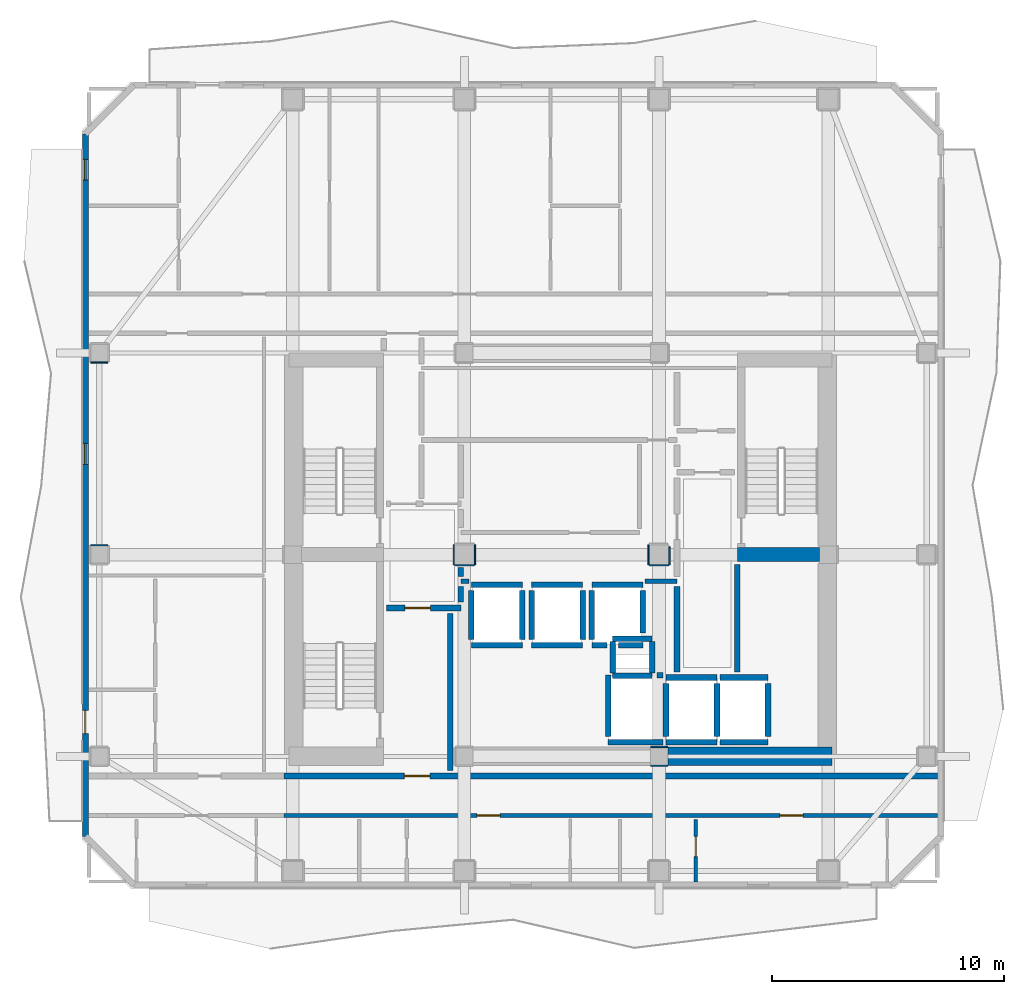
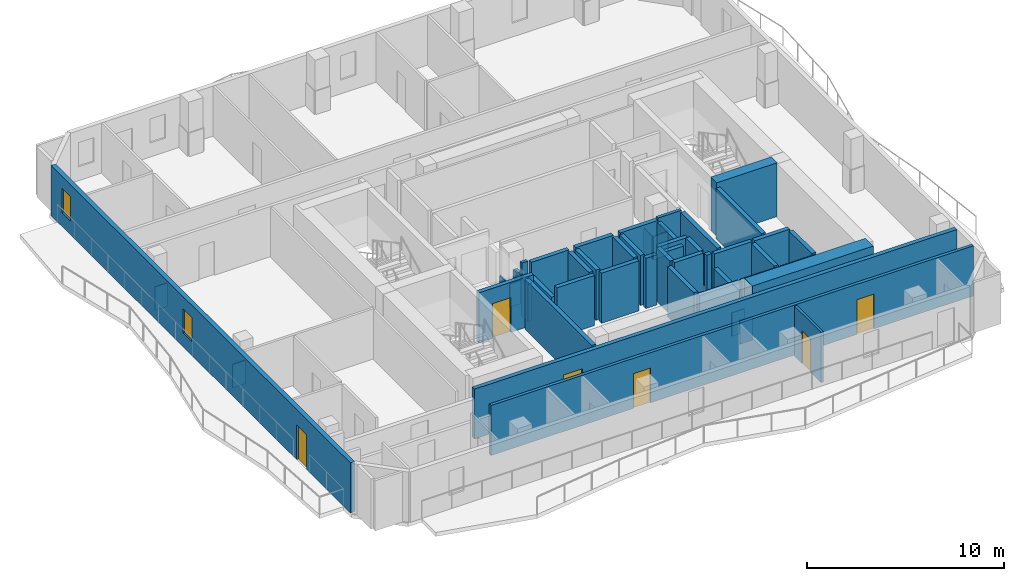
# One storey, part 3 of 10: 51 walls, 6 doors, 2 windows, 8 openings.
"""IFC4 building model written with IfcOpenShell, lengths in metres."""

from ifc_helpers import new_model, si_unit, direction, frame, frame_2d, origin, place, context, subcontext, project, spatial, rectangle, extrude, material, layer, layer_set, type_object, element, fill, save


model = new_model("IFC4")

# Units and contexts
model_context = context("Model", 3, precision=1e-05, world=origin(), true_north=direction((0.0, 1.0)))
body_context = subcontext(model_context, "Body", "Model", "MODEL_VIEW")
ifc_project = project(units=[si_unit("LENGTHUNIT", "METRE"), si_unit("AREAUNIT", "SQUARE_METRE"), si_unit("VOLUMEUNIT", "CUBIC_METRE"), si_unit("PLANEANGLEUNIT", "RADIAN"), si_unit("MASSUNIT", "GRAM", prefix="KILO")], contexts=[model_context])

# Site, building, storey
site_placement = place(None, origin())
site = spatial("IfcSite", under=ifc_project, at=site_placement, CompositionType="ELEMENT")
building_placement = place(site_placement, origin())
building = spatial("IfcBuilding", under=site, at=building_placement, Name="Solanera Arch Residences", CompositionType="ELEMENT")
storey_placement = place(building_placement, frame((0.0, 0.0, 262.239990234375)))
storey = spatial("IfcBuildingStorey", under=building, at=storey_placement, Name="L76", CompositionType="ELEMENT", Elevation=262.239990234375)

# Walls
ifc_material_1 = material(Name="Fire-Rated Gypsum Stud Partition", Category="gypsum")
ifc_layer_1 = layer(ifc_material_1, 0.06005859375)
ifc_layer_set_1 = layer_set([ifc_layer_1], Name="Fire-Rated Gypsum Stud Partition")
wall_type_1 = type_object("IfcWallType", Name="Column Acoustic Furring Wall 60", PredefinedType="PARTITIONING", material=ifc_layer_set_1)
for number, where, z_axis, x_axis, name in (
    (1, (28.8330078125, 21.593017578125, 0.0), (0.0, 0.0, 1.0), (1.0, 0.0, 0.0), "L76 Column Furring 2S"),
    (2, (28.8330078125, 22.406982421875, 0.0), (0.0, 0.0, 1.0), (1.0, 0.0, 0.0), "L76 Column Furring 2N"),
):
    element("IfcWall", number, at=place(storey_placement, frame(where, z_axis=z_axis, x_axis=x_axis)), inside=storey, type_object=wall_type_1, Name=name, PredefinedType="PARTITIONING", context=body_context, shape_type="SweptSolid", body=[
        extrude(rectangle(XDim=0.73388671875, YDim=0.06005859375, at=frame_2d((0.366943359375, 0.0))), origin(), (0.0, 0.0, 1.0), 1.449951171875),
    ])
for number, where, z_axis, x_axis, name in (
    (3, (20.375, 30.242919921875, 0.0), (0.0, 0.0, 1.0), (1.0, 0.0, 0.0), "L76 Column Furring 7S"),
    (4, (20.343017578125, 30.27490234375, 0.0), (0.0, 0.0, 1.0), (0.0, 1.0, 0.0), "L76 Column Furring 7W"),
    (5, (21.257080078125, 30.27490234375, 0.0), (0.0, 0.0, 1.0), (0.0, 1.0, 0.0), "L76 Column Furring 7E"),
    (6, (28.77490234375, 30.242919921875, 0.0), (0.0, 0.0, 1.0), (1.0, 0.0, 0.0), "L76 Column Furring 8S"),
    (7, (28.742919921875, 30.27490234375, 0.0), (0.0, 0.0, 1.0), (0.0, 1.0, 0.0), "L76 Column Furring 8W"),
):
    element("IfcWall", number, at=place(storey_placement, frame(where, z_axis=z_axis, x_axis=x_axis)), inside=storey, type_object=wall_type_1, Name=name, PredefinedType="PARTITIONING", context=body_context, shape_type="SweptSolid", body=[
        extrude(rectangle(XDim=0.85009765625, YDim=0.06005859375, at=frame_2d((0.425048828125, 0.0))), origin(), (0.0, 0.0, 1.0), 1.449951171875),
    ])
wall_1_placement = place(storey_placement, frame((29.656982421875, 30.27490234375, 0.0), z_axis=(0.0, 0.0, 1.0), x_axis=(0.0, 1.0, 0.0)))
element("IfcWall", 8, at=wall_1_placement, inside=storey, type_object=wall_type_1, Name="L76 Column Furring 8E", PredefinedType="PARTITIONING", context=body_context, shape_type="SweptSolid", body=[
    extrude(rectangle(XDim=0.757080078125, YDim=0.06005859375, at=frame_2d((0.37841796875, 0.0))), origin(), (0.0, 0.0, 1.0), 1.449951171875),
])
for number, where, z_axis, x_axis, name in (
    (9, (4.675048828125, 31.10693359375, 0.0), (0.0, 0.0, 1.0), (1.0, 0.0, 0.0), "L76 Column Furring 19N"),
    (10, (4.675048828125, 38.992919921875, 0.0), (0.0, 0.0, 1.0), (1.0, 0.0, 0.0), "L76 Column Furring 21S"),
):
    element("IfcWall", number, at=place(storey_placement, frame(where, z_axis=z_axis, x_axis=x_axis)), inside=storey, type_object=wall_type_1, Name=name, PredefinedType="PARTITIONING", context=body_context, shape_type="SweptSolid", body=[
        extrude(rectangle(XDim=0.75, YDim=0.06005859375, at=frame_2d((0.375, 0.0))), origin(), (0.0, 0.0, 1.0), 1.449951171875),
    ])
ifc_material_2 = material(Name="Concrete C40/50 (f'c = 45 MPa)", Category="concrete")
ifc_layer_2 = layer(ifc_material_2, 0.60009765625)
ifc_layer_set_2 = layer_set([ifc_layer_2], Name="Concrete C40/50 (f'c = 45 MPa)")
wall_type_2 = type_object("IfcWallType", Name="Core Shear Wall CW-600", PredefinedType="SHEAR", material=ifc_layer_set_2)
wall_2_placement = place(storey_placement, frame((32.580078125, 30.699951171875, 0.0), z_axis=(0.0, 0.0, 1.0), x_axis=(1.0, 0.0, 0.0)))
element("IfcWall", 11, at=wall_2_placement, inside=storey, type_object=wall_type_2, Name="L76 East Stair Far-Landing Shear Wall", PredefinedType="SHEAR", context=body_context, shape_type="SweptSolid", body=[
    extrude(rectangle(XDim=3.5400390625, YDim=0.60009765625, at=frame_2d((1.77001953125, 0.0))), origin(), (0.0, 0.0, 1.0), 3.320068359375),
])
ifc_material_3 = material(Name="Concrete C40/50 (f'c = 45 MPa)", Category="concrete")
ifc_layer_3 = layer(ifc_material_3, 0.800048828125)
ifc_layer_set_3 = layer_set([ifc_layer_3], Name="Concrete C40/50 (f'c = 45 MPa)")
wall_type_3 = type_object("IfcWallType", Name="Core Shear Wall CW-800", PredefinedType="SHEAR", material=ifc_layer_set_3)
wall_3_placement = place(storey_placement, frame((29.580078125, 22.0, 0.0), z_axis=(0.0, 0.0, 1.0), x_axis=(1.0, 0.0, 0.0)))
element("IfcWall", 12, at=wall_3_placement, inside=storey, type_object=wall_type_3, Name="L76 South-East Core Shear Wall", PredefinedType="SHEAR", context=body_context, shape_type="SweptSolid", body=[
    extrude(rectangle(XDim=7.079833984375, YDim=0.800048828125, at=frame_2d((3.5400390625, 0.0))), origin(), (0.0, 0.0, 1.0), 3.320068359375),
])

# Wall, openings, doors
ifc_material_4 = material(Name="Autoclaved Aerated Concrete Blockwork", Category="masonry")
ifc_layer_4 = layer(ifc_material_4, 0.179931640625)
ifc_layer_set_4 = layer_set([ifc_layer_4], Name="Autoclaved Aerated Concrete Blockwork")
wall_type_4 = type_object("IfcWallType", Name="Corridor Fire Partition 180", PredefinedType="PARTITIONING", material=ifc_layer_set_4)
wall_4_placement = place(storey_placement, frame((13.011962890625, 19.449951171875, 0.0), z_axis=(0.0, 0.0, 1.0), x_axis=(1.0, 0.0, 0.0)))
wall_4 = element("IfcWall", 13, at=wall_4_placement, inside=storey, type_object=wall_type_4, Name="L76 Interior Partition H7 3", PredefinedType="PARTITIONING", context=body_context, shape_type="SweptSolid", body=[
    extrude(rectangle(XDim=28.200927734375, YDim=0.179931640625, at=frame_2d((14.1005859375, 0.0))), origin(), (0.0, 0.0, 1.0), 3.10009765625),
])
opening_1_placement = place(wall_4_placement, frame((8.3291015625, 0.0, 0.0)))
opening_1 = element("IfcOpeningElement", 14, at=opening_1_placement, cuts=wall_4, Name="Opening DI-01", PredefinedType="OPENING", context=body_context, shape_type="SweptSolid", body=[
    extrude(rectangle(XDim=1.0, YDim=2.14990234375, at=frame_2d((0.5, 1.074951171875))), frame((0.0, 0.10009765625, 0.0), z_axis=(0.0, -1.0, 0.0), x_axis=(1.0, 0.0, 0.0)), (0.0, 0.0, 1.0), 0.1999),
])
opening_2_placement = place(wall_4_placement, frame((21.403076171875, 0.0, 0.0)))
opening_2 = element("IfcOpeningElement", 15, at=opening_2_placement, cuts=wall_4, Name="Opening DI-01", PredefinedType="OPENING", context=body_context, shape_type="SweptSolid", body=[
    extrude(rectangle(XDim=1.0, YDim=2.14990234375, at=frame_2d((0.5, 1.074951171875))), frame((0.0, 0.10009765625, 0.0), z_axis=(0.0, -1.0, 0.0), x_axis=(1.0, 0.0, 0.0)), (0.0, 0.0, 1.0), 0.1999),
])
ifc_material_5 = material(Name="Fire-Rated Architectural Hardwood", Category="wood")
door_type_1 = type_object("IfcDoorType", Name="Unit Entrance Fire Door DI-01", OperationType="NOTDEFINED", PredefinedType="DOOR", material=ifc_material_5)
door_1_placement = place(opening_1_placement, origin())
door_1 = element("IfcDoor", 16, at=door_1_placement, inside=storey, type_object=door_type_1, Name="DR-L76-IN-017", OperationType="SINGLE_SWING_LEFT", OverallHeight=2.14990234375, OverallWidth=1.0, PredefinedType="DOOR", context=body_context, shape_type="SweptSolid", body=[
    extrude(rectangle(XDim=1.0, YDim=2.14990234375, at=frame_2d((0.5, 1.074951171875))), frame((0.0, 0.02490234375, 0.0), z_axis=(0.0, -1.0, 0.0), x_axis=(1.0, 0.0, 0.0)), (0.0, 0.0, 1.0), 0.050048828125),
])
fill(opening_1, door_1)
door_2_placement = place(opening_2_placement, origin())
door_2 = element("IfcDoor", 17, at=door_2_placement, inside=storey, type_object=door_type_1, Name="DR-L76-IN-020", OperationType="SINGLE_SWING_RIGHT", OverallHeight=2.14990234375, OverallWidth=1.0, PredefinedType="DOOR", context=body_context, shape_type="SweptSolid", body=[
    extrude(rectangle(XDim=1.0, YDim=2.14990234375, at=frame_2d((0.5, 1.074951171875))), frame((0.0, 0.02490234375, 0.0), z_axis=(0.0, -1.0, 0.0), x_axis=(1.0, 0.0, 0.0)), (0.0, 0.0, 1.0), 0.050048828125),
])
fill(opening_2, door_2)

# Walls
wall_5_placement = place(storey_placement, frame((20.64990234375, 29.550048828125, 0.0), z_axis=(0.0, 0.0, 1.0), x_axis=(1.0, 0.0, 0.0)))
element("IfcWall", 18, at=wall_5_placement, inside=storey, type_object=wall_type_4, Name="L76 Interior Partition H8 1", PredefinedType="PARTITIONING", context=body_context, shape_type="SweptSolid", body=[
    extrude(rectangle(XDim=0.357177734375, YDim=0.179931640625, at=frame_2d((0.1787109375, 0.0))), origin(), (0.0, 0.0, 1.0), 3.10009765625),
])
wall_6_placement = place(storey_placement, frame((28.593017578125, 29.550048828125, 0.0), z_axis=(0.0, 0.0, 1.0), x_axis=(1.0, 0.0, 0.0)))
element("IfcWall", 19, at=wall_6_placement, inside=storey, type_object=wall_type_4, Name="L76 Interior Partition H8 2", PredefinedType="PARTITIONING", context=body_context, shape_type="SweptSolid", body=[
    extrude(rectangle(XDim=1.382080078125, YDim=0.179931640625, at=frame_2d((0.69091796875, 0.0))), origin(), (0.0, 0.0, 1.0), 3.10009765625),
])

# Wall, openings, door, windows
ifc_material_6 = material(Name="Precast Concrete C35/45", Category="concrete")
ifc_layer_5 = layer(ifc_material_6, 0.260009765625)
ifc_layer_set_5 = layer_set([ifc_layer_5], Name="Precast Concrete C35/45")
wall_type_5 = type_object("IfcWallType", Name="Exterior Wall Precast Masonry-Frame 260", PredefinedType="STANDARD", material=ifc_layer_set_5)
wall_7_placement = place(storey_placement, frame((4.445068359375, 18.544921875, 0.0), z_axis=(0.0, 0.0, 1.0), x_axis=(0.0, 1.0, 0.0)))
wall_7 = element("IfcWall", 20, at=wall_7_placement, inside=storey, type_object=wall_type_5, Name="L76 Tower Exterior Precast Masonry-Frame Wall W", PredefinedType="STANDARD", context=body_context, shape_type="SweptSolid", body=[
    extrude(rectangle(XDim=30.31005859375, YDim=0.260009765625, at=frame_2d((15.155029296875, 0.0))), origin(), (0.0, 0.0, 1.0), 3.10009765625),
])
opening_3_placement = place(wall_7_placement, frame((4.43408203125, 0.0, 0.0)))
opening_3 = element("IfcOpeningElement", 21, at=opening_3_placement, cuts=wall_7, Name="Opening DB-01", PredefinedType="OPENING", context=body_context, shape_type="SweptSolid", body=[
    extrude(rectangle(XDim=1.0, YDim=2.14990234375, at=frame_2d((0.5, 1.074951171875))), frame((0.0, 0.139892578125, 0.0), z_axis=(0.0, -1.0, 0.0), x_axis=(1.0, 0.0, 0.0)), (0.0, 0.0, 1.0), 0.28),
])
opening_4_placement = place(wall_7_placement, frame((28.31591796875, 0.0, 0.85009765625)))
opening_4 = element("IfcOpeningElement", 22, at=opening_4_placement, cuts=wall_7, Name="Opening W-06", PredefinedType="OPENING", context=body_context, shape_type="SweptSolid", body=[
    extrude(rectangle(XDim=0.89990234375, YDim=1.5, at=frame_2d((0.449951171875, 0.75))), frame((0.0, 0.139892578125, 0.0), z_axis=(0.0, -1.0, 0.0), x_axis=(1.0, 0.0, 0.0)), (0.0, 0.0, 1.0), 0.28),
])
opening_5_placement = place(wall_7_placement, frame((16.054931640625, 0.0, 0.85009765625)))
opening_5 = element("IfcOpeningElement", 23, at=opening_5_placement, cuts=wall_7, Name="Opening W-06", PredefinedType="OPENING", context=body_context, shape_type="SweptSolid", body=[
    extrude(rectangle(XDim=0.89990234375, YDim=1.5, at=frame_2d((0.449951171875, 0.75))), frame((0.0, 0.139892578125, 0.0), z_axis=(0.0, -1.0, 0.0), x_axis=(1.0, 0.0, 0.0)), (0.0, 0.0, 1.0), 0.28),
])
ifc_material_7 = material(Name="Anodised Aluminium Alloy 6063-T6", Category="aluminium")
door_type_2 = type_object("IfcDoorType", Name="Glazed Balcony Swing Door DB-01", OperationType="NOTDEFINED", PredefinedType="DOOR", material=ifc_material_7)
door_3_placement = place(opening_3_placement, origin())
door_3 = element("IfcDoor", 24, at=door_3_placement, inside=storey, type_object=door_type_2, Name="DR-L76-OUT-04", OperationType="SINGLE_SWING_LEFT", OverallHeight=2.14990234375, OverallWidth=1.0, PredefinedType="DOOR", context=body_context, shape_type="SweptSolid", body=[
    extrude(rectangle(XDim=1.0, YDim=2.14990234375, at=frame_2d((0.5, 1.074951171875))), frame((0.0, 0.02490234375, 0.0), z_axis=(0.0, -1.0, 0.0), x_axis=(1.0, 0.0, 0.0)), (0.0, 0.0, 1.0), 0.050048828125),
])
fill(opening_3, door_3)
ifc_material_8 = material(Name="Double Glazed Low-E Laminated Glass", Category="glass")
window_type = type_object("IfcWindowType", Name="Punched Window W-06", PartitioningType="SINGLE_PANEL", PredefinedType="WINDOW", material=ifc_material_8)
window_1_placement = place(opening_4_placement, origin())
window_1 = element("IfcWindow", 25, at=window_1_placement, inside=storey, type_object=window_type, Name="L76 7604-BR1 Punched Window", OverallHeight=1.5, OverallWidth=0.89990234375, PartitioningType="SINGLE_PANEL", PredefinedType="WINDOW", context=body_context, shape_type="SweptSolid", body=[
    extrude(rectangle(XDim=0.89990234375, YDim=1.5, at=frame_2d((0.449951171875, 0.75))), frame((0.0, 0.030029296875, 0.0), z_axis=(0.0, -1.0, 0.0), x_axis=(1.0, 0.0, 0.0)), (0.0, 0.0, 1.0), 0.06005859375),
])
fill(opening_4, window_1)
window_2_placement = place(opening_5_placement, origin())
window_2 = element("IfcWindow", 26, at=window_2_placement, inside=storey, type_object=window_type, Name="L76 AMN-STDW Punched Window", OverallHeight=1.5, OverallWidth=0.89990234375, PartitioningType="SINGLE_PANEL", PredefinedType="WINDOW", context=body_context, shape_type="SweptSolid", body=[
    extrude(rectangle(XDim=0.89990234375, YDim=1.5, at=frame_2d((0.449951171875, 0.75))), frame((0.0, 0.030029296875, 0.0), z_axis=(0.0, -1.0, 0.0), x_axis=(1.0, 0.0, 0.0)), (0.0, 0.0, 1.0), 0.06005859375),
])
fill(opening_5, window_2)

# Walls
ifc_material_9 = material(Name="Concrete C40/50 (f'c = 45 MPa)", Category="concrete")
ifc_layer_6 = layer(ifc_material_9, 0.239990234375)
ifc_layer_set_6 = layer_set([ifc_layer_6], Name="Concrete C40/50 (f'c = 45 MPa)")
wall_type_6 = type_object("IfcWallType", Name="Ramp Bearing Shear Wall RW-240", PredefinedType="SHEAR", material=ifc_layer_set_6)
for number, where, z_axis, x_axis, name in (
    (27, (27.199951171875, 25.47998046875, 0.0), (0.0, 0.0, 1.0), (1.0, 0.0, 0.0), "L76 Core MEP Riser South Shaft Wall"),
    (28, (27.199951171875, 27.080078125, 0.0), (0.0, 0.0, 1.0), (1.0, 0.0, 0.0), "L76 Core MEP Riser North Shaft Wall"),
):
    element("IfcWall", number, at=place(storey_placement, frame(where, z_axis=z_axis, x_axis=x_axis)), inside=storey, type_object=wall_type_6, Name=name, PredefinedType="SHEAR", context=body_context, shape_type="SweptSolid", body=[
        extrude(rectangle(XDim=1.699951171875, YDim=0.239990234375, at=frame_2d((0.85009765625, 0.0))), origin(), (0.0, 0.0, 1.0), 3.320068359375),
    ])
for number, where, z_axis, x_axis, name in (
    (29, (27.199951171875, 25.60009765625, 0.0), (0.0, 0.0, 1.0), (0.0, 1.0, 0.0), "L76 Core MEP Riser West Shaft Wall"),
    (30, (28.89990234375, 25.60009765625, 0.0), (0.0, 0.0, 1.0), (0.0, 1.0, 0.0), "L76 Core MEP Riser East Shaft Wall"),
):
    element("IfcWall", number, at=place(storey_placement, frame(where, z_axis=z_axis, x_axis=x_axis)), inside=storey, type_object=wall_type_6, Name=name, PredefinedType="SHEAR", context=body_context, shape_type="SweptSolid", body=[
        extrude(rectangle(XDim=1.35986328125, YDim=0.239990234375, at=frame_2d((0.679931640625, 0.0))), origin(), (0.0, 0.0, 1.0), 3.320068359375),
    ])
ifc_material_10 = material(Name="Autoclaved Aerated Concrete Blockwork", Category="masonry")
ifc_layer_7 = layer(ifc_material_10, 0.239990234375)
ifc_layer_set_7 = layer_set([ifc_layer_7], Name="Autoclaved Aerated Concrete Blockwork")
wall_type_7 = type_object("IfcWallType", Name="Shaft Wall Fire-Rated 240", PredefinedType="PARTITIONING", material=ifc_layer_set_7)
for number, where, z_axis, x_axis, name in (
    (31, (21.10009765625, 26.800048828125, 0.0), (0.0, 0.0, 1.0), (1.0, 0.0, 0.0), "L76 Lift PL-H1 Hoistway Wall S"),
    (32, (21.10009765625, 29.39990234375, 0.0), (0.0, 0.0, 1.0), (1.0, 0.0, 0.0), "L76 Lift PL-H1 Hoistway Wall N"),
):
    element("IfcWall", number, at=place(storey_placement, frame(where, z_axis=z_axis, x_axis=x_axis)), inside=storey, type_object=wall_type_7, Name=name, PredefinedType="PARTITIONING", context=body_context, shape_type="SweptSolid", body=[
        extrude(rectangle(XDim=2.199951171875, YDim=0.239990234375, at=frame_2d((1.10009765625, 0.0))), origin(), (0.0, 0.0, 1.0), 3.10009765625),
    ])
wall_8_placement = place(storey_placement, frame((21.10009765625, 27.048095703125, 0.0), z_axis=(0.0, 0.0, 1.0), x_axis=(0.0, 1.0, 0.0)))
element("IfcWall", 33, at=wall_8_placement, inside=storey, type_object=wall_type_7, Name="L76 Lift PL-H1 Hoistway Wall W", PredefinedType="PARTITIONING", context=body_context, shape_type="SweptSolid", body=[
    extrude(rectangle(XDim=2.10400390625, YDim=0.239990234375, at=frame_2d((1.052001953125, 0.0))), origin(), (0.0, 0.0, 1.0), 2.3349609375),
])
wall_9_placement = place(storey_placement, frame((23.300048828125, 27.048095703125, 0.0), z_axis=(0.0, 0.0, 1.0), x_axis=(0.0, 1.0, 0.0)))
element("IfcWall", 34, at=wall_9_placement, inside=storey, type_object=wall_type_7, Name="L76 Lift PL-H1 Hoistway Wall E", PredefinedType="PARTITIONING", context=body_context, shape_type="SweptSolid", body=[
    extrude(rectangle(XDim=2.10400390625, YDim=0.239990234375, at=frame_2d((1.052001953125, 0.0))), origin(), (0.0, 0.0, 1.0), 3.10009765625),
])
for number, where, z_axis, x_axis, name in (
    (35, (23.699951171875, 26.800048828125, 0.0), (0.0, 0.0, 1.0), (1.0, 0.0, 0.0), "L76 Lift PL-H2 Hoistway Wall S"),
    (36, (23.699951171875, 29.39990234375, 0.0), (0.0, 0.0, 1.0), (1.0, 0.0, 0.0), "L76 Lift PL-H2 Hoistway Wall N"),
):
    element("IfcWall", number, at=place(storey_placement, frame(where, z_axis=z_axis, x_axis=x_axis)), inside=storey, type_object=wall_type_7, Name=name, PredefinedType="PARTITIONING", context=body_context, shape_type="SweptSolid", body=[
        extrude(rectangle(XDim=2.199951171875, YDim=0.239990234375, at=frame_2d((1.10009765625, 0.0))), origin(), (0.0, 0.0, 1.0), 3.10009765625),
    ])
for number, where, z_axis, x_axis, name in (
    (37, (23.699951171875, 27.048095703125, 0.0), (0.0, 0.0, 1.0), (0.0, 1.0, 0.0), "L76 Lift PL-H2 Hoistway Wall W"),
    (38, (25.89990234375, 27.048095703125, 0.0), (0.0, 0.0, 1.0), (0.0, 1.0, 0.0), "L76 Lift PL-H2 Hoistway Wall E"),
):
    element("IfcWall", number, at=place(storey_placement, frame(where, z_axis=z_axis, x_axis=x_axis)), inside=storey, type_object=wall_type_7, Name=name, PredefinedType="PARTITIONING", context=body_context, shape_type="SweptSolid", body=[
        extrude(rectangle(XDim=2.10400390625, YDim=0.239990234375, at=frame_2d((1.052001953125, 0.0))), origin(), (0.0, 0.0, 1.0), 3.10009765625),
    ])
wall_10_placement = place(storey_placement, frame((26.300048828125, 26.800048828125, 0.0), z_axis=(0.0, 0.0, 1.0), x_axis=(1.0, 0.0, 0.0)))
element("IfcWall", 39, at=wall_10_placement, inside=storey, type_object=wall_type_7, Name="L76 Lift PL-H3 Hoistway Wall S 1", PredefinedType="PARTITIONING", context=body_context, shape_type="SweptSolid", body=[
    extrude(rectangle(XDim=0.64990234375, YDim=0.239990234375, at=frame_2d((0.324951171875, 0.0))), origin(), (0.0, 0.0, 1.0), 3.10009765625),
])
wall_11_placement = place(storey_placement, frame((27.449951171875, 26.800048828125, 0.0), z_axis=(0.0, 0.0, 1.0), x_axis=(1.0, 0.0, 0.0)))
element("IfcWall", 40, at=wall_11_placement, inside=storey, type_object=wall_type_7, Name="L76 Lift PL-H3 Hoistway Wall S 2", PredefinedType="PARTITIONING", context=body_context, shape_type="SweptSolid", body=[
    extrude(rectangle(XDim=1.050048828125, YDim=0.239990234375, at=frame_2d((0.52490234375, 0.0))), origin(), (0.0, 0.0, 1.0), 3.10009765625),
])
wall_12_placement = place(storey_placement, frame((26.300048828125, 29.39990234375, 0.0), z_axis=(0.0, 0.0, 1.0), x_axis=(1.0, 0.0, 0.0)))
element("IfcWall", 41, at=wall_12_placement, inside=storey, type_object=wall_type_7, Name="L76 Lift PL-H3 Hoistway Wall N", PredefinedType="PARTITIONING", context=body_context, shape_type="SweptSolid", body=[
    extrude(rectangle(XDim=2.199951171875, YDim=0.239990234375, at=frame_2d((1.10009765625, 0.0))), origin(), (0.0, 0.0, 1.0), 3.10009765625),
])
wall_13_placement = place(storey_placement, frame((26.300048828125, 27.048095703125, 0.0), z_axis=(0.0, 0.0, 1.0), x_axis=(0.0, 1.0, 0.0)))
element("IfcWall", 42, at=wall_13_placement, inside=storey, type_object=wall_type_7, Name="L76 Lift PL-H3 Hoistway Wall W", PredefinedType="PARTITIONING", context=body_context, shape_type="SweptSolid", body=[
    extrude(rectangle(XDim=2.10400390625, YDim=0.239990234375, at=frame_2d((1.052001953125, 0.0))), origin(), (0.0, 0.0, 1.0), 3.10009765625),
])
wall_14_placement = place(storey_placement, frame((28.5, 27.330078125, 0.0), z_axis=(0.0, 0.0, 1.0), x_axis=(0.0, 1.0, 0.0)))
element("IfcWall", 43, at=wall_14_placement, inside=storey, type_object=wall_type_7, Name="L76 Lift PL-H3 Hoistway Wall E", PredefinedType="PARTITIONING", context=body_context, shape_type="SweptSolid", body=[
    extrude(rectangle(XDim=1.822021484375, YDim=0.239990234375, at=frame_2d((0.9111328125, 0.0))), origin(), (0.0, 0.0, 1.0), 3.10009765625),
])
for number, where, z_axis, x_axis, name in (
    (44, (29.5, 22.60009765625, 0.0), (0.0, 0.0, 1.0), (1.0, 0.0, 0.0), "L76 Lift FFL-1 Hoistway Wall S"),
    (45, (29.5, 25.39990234375, 0.0), (0.0, 0.0, 1.0), (1.0, 0.0, 0.0), "L76 Lift FFL-1 Hoistway Wall N"),
):
    element("IfcWall", number, at=place(storey_placement, frame(where, z_axis=z_axis, x_axis=x_axis)), inside=storey, type_object=wall_type_7, Name=name, PredefinedType="PARTITIONING", context=body_context, shape_type="SweptSolid", body=[
        extrude(rectangle(XDim=2.199951171875, YDim=0.239990234375, at=frame_2d((1.10009765625, 0.0))), origin(), (0.0, 0.0, 1.0), 3.10009765625),
    ])
wall_15_placement = place(storey_placement, frame((29.5, 22.847900390625, 0.0), z_axis=(0.0, 0.0, 1.0), x_axis=(0.0, 1.0, 0.0)))
element("IfcWall", 46, at=wall_15_placement, inside=storey, type_object=wall_type_7, Name="L76 Lift FFL-1 Hoistway Wall W", PredefinedType="PARTITIONING", context=body_context, shape_type="SweptSolid", body=[
    extrude(rectangle(XDim=2.30419921875, YDim=0.239990234375, at=frame_2d((1.152099609375, 0.0))), origin(), (0.0, 0.0, 1.0), 2.3349609375),
])
wall_16_placement = place(storey_placement, frame((31.699951171875, 22.847900390625, 0.0), z_axis=(0.0, 0.0, 1.0), x_axis=(0.0, 1.0, 0.0)))
element("IfcWall", 47, at=wall_16_placement, inside=storey, type_object=wall_type_7, Name="L76 Lift FFL-1 Hoistway Wall E", PredefinedType="PARTITIONING", context=body_context, shape_type="SweptSolid", body=[
    extrude(rectangle(XDim=2.30419921875, YDim=0.239990234375, at=frame_2d((1.152099609375, 0.0))), origin(), (0.0, 0.0, 1.0), 3.10009765625),
])
for number, where, z_axis, x_axis, name in (
    (48, (31.827880859375, 22.60009765625, 0.0), (0.0, 0.0, 1.0), (1.0, 0.0, 0.0), "L76 Lift FFL-2 Hoistway Wall S"),
    (49, (31.827880859375, 25.39990234375, 0.0), (0.0, 0.0, 1.0), (1.0, 0.0, 0.0), "L76 Lift FFL-2 Hoistway Wall N"),
):
    element("IfcWall", number, at=place(storey_placement, frame(where, z_axis=z_axis, x_axis=x_axis)), inside=storey, type_object=wall_type_7, Name=name, PredefinedType="PARTITIONING", context=body_context, shape_type="SweptSolid", body=[
        extrude(rectangle(XDim=2.072021484375, YDim=0.239990234375, at=frame_2d((1.0361328125, 0.0))), origin(), (0.0, 0.0, 1.0), 3.10009765625),
    ])
wall_17_placement = place(storey_placement, frame((33.89990234375, 22.847900390625, 0.0), z_axis=(0.0, 0.0, 1.0), x_axis=(0.0, 1.0, 0.0)))
element("IfcWall", 50, at=wall_17_placement, inside=storey, type_object=wall_type_7, Name="L76 Lift FFL-2 Hoistway Wall E", PredefinedType="PARTITIONING", context=body_context, shape_type="SweptSolid", body=[
    extrude(rectangle(XDim=2.30419921875, YDim=0.239990234375, at=frame_2d((1.152099609375, 0.0))), origin(), (0.0, 0.0, 1.0), 3.10009765625),
])
wall_18_placement = place(storey_placement, frame((27.0, 22.60009765625, 0.0), z_axis=(0.0, 0.0, 1.0), x_axis=(1.0, 0.0, 0.0)))
element("IfcWall", 51, at=wall_18_placement, inside=storey, type_object=wall_type_7, Name="L76 Lift SVL-1 Hoistway Wall S", PredefinedType="PARTITIONING", context=body_context, shape_type="SweptSolid", body=[
    extrude(rectangle(XDim=2.3720703125, YDim=0.239990234375, at=frame_2d((1.18603515625, 0.0))), origin(), (0.0, 0.0, 1.0), 3.10009765625),
])
wall_19_placement = place(storey_placement, frame((29.10302734375, 25.5, 0.0), z_axis=(0.0, 0.0, 1.0), x_axis=(1.0, 0.0, 0.0)))
element("IfcWall", 52, at=wall_19_placement, inside=storey, type_object=wall_type_7, Name="L76 Lift SVL-1 Hoistway Wall N", PredefinedType="PARTITIONING", context=body_context, shape_type="SweptSolid", body=[
    extrude(rectangle(XDim=0.26904296875, YDim=0.239990234375, at=frame_2d((0.134521484375, 0.0))), origin(), (0.0, 0.0, 1.0), 3.10009765625),
])
wall_20_placement = place(storey_placement, frame((27.0, 22.847900390625, 0.0), z_axis=(0.0, 0.0, 1.0), x_axis=(0.0, 1.0, 0.0)))
element("IfcWall", 53, at=wall_20_placement, inside=storey, type_object=wall_type_7, Name="L76 Lift SVL-1 Hoistway Wall W", PredefinedType="PARTITIONING", context=body_context, shape_type="SweptSolid", body=[
    extrude(rectangle(XDim=2.650146484375, YDim=0.239990234375, at=frame_2d((1.3251953125, 0.0))), origin(), (0.0, 0.0, 1.0), 3.10009765625),
])

# Wall, opening, door
wall_21_placement = place(storey_placement, frame((13.011962890625, 21.14990234375, 0.0), z_axis=(0.0, 0.0, 1.0), x_axis=(1.0, 0.0, 0.0)))
wall_21 = element("IfcWall", 54, at=wall_21_placement, inside=storey, type_object=wall_type_7, Name="L76 Interior Partition H1 3", PredefinedType="PARTITIONING", context=body_context, shape_type="SweptSolid", body=[
    extrude(rectangle(XDim=28.200927734375, YDim=0.239990234375, at=frame_2d((14.1005859375, 0.0))), origin(), (0.0, 0.0, 1.0), 3.10009765625),
])
opening_6_placement = place(wall_21_placement, frame((5.197998046875, 0.0, 0.0)))
opening_6 = element("IfcOpeningElement", 55, at=opening_6_placement, cuts=wall_21, Name="Opening DF-02", PredefinedType="OPENING", context=body_context, shape_type="SweptSolid", body=[
    extrude(rectangle(XDim=1.10009765625, YDim=2.14990234375, at=frame_2d((0.550048828125, 1.074951171875))), frame((0.0, 0.1298828125, 0.0), z_axis=(0.0, -1.0, 0.0), x_axis=(1.0, 0.0, 0.0)), (0.0, 0.0, 1.0), 0.26),
])
ifc_material_11 = material(Name="Fire-Rated Architectural Hardwood", Category="wood")
door_type_3 = type_object("IfcDoorType", Name="Firefighting Lobby Fire Door DF-02", OperationType="NOTDEFINED", PredefinedType="DOOR", material=ifc_material_11)
door_4_placement = place(opening_6_placement, origin())
door_4 = element("IfcDoor", 56, at=door_4_placement, inside=storey, type_object=door_type_3, Name="DR-L76-IN-008", OperationType="SINGLE_SWING_RIGHT", OverallHeight=2.14990234375, OverallWidth=1.10009765625, PredefinedType="DOOR", context=body_context, shape_type="SweptSolid", body=[
    extrude(rectangle(XDim=1.10009765625, YDim=2.14990234375, at=frame_2d((0.550048828125, 1.074951171875))), frame((0.0, 0.02490234375, 0.0), z_axis=(0.0, -1.0, 0.0), x_axis=(1.0, 0.0, 0.0)), (0.0, 0.0, 1.0), 0.050048828125),
])
fill(opening_6, door_4)

wall_22_placement = place(storey_placement, frame((17.449951171875, 28.39990234375, 0.0), z_axis=(0.0, 0.0, 1.0), x_axis=(1.0, 0.0, 0.0)))
wall_22 = element("IfcWall", 57, at=wall_22_placement, inside=storey, type_object=wall_type_7, Name="L76 Interior Partition H3", PredefinedType="PARTITIONING", context=body_context, shape_type="SweptSolid", body=[
    extrude(rectangle(XDim=3.199951171875, YDim=0.239990234375, at=frame_2d((1.60009765625, 0.0))), origin(), (0.0, 0.0, 1.0), 3.10009765625),
])
opening_7_placement = place(wall_22_placement, frame((0.783935546875, 0.0, 0.0)))
opening_7 = element("IfcOpeningElement", 58, at=opening_7_placement, cuts=wall_22, Name="Opening DF-02", PredefinedType="OPENING", context=body_context, shape_type="SweptSolid", body=[
    extrude(rectangle(XDim=1.10009765625, YDim=2.14990234375, at=frame_2d((0.550048828125, 1.074951171875))), frame((0.0, 0.1298828125, 0.0), z_axis=(0.0, -1.0, 0.0), x_axis=(1.0, 0.0, 0.0)), (0.0, 0.0, 1.0), 0.26),
])
door_5_placement = place(opening_7_placement, origin())
door_5 = element("IfcDoor", 59, at=door_5_placement, inside=storey, type_object=door_type_3, Name="DR-L76-IN-004", OperationType="SINGLE_SWING_RIGHT", OverallHeight=2.14990234375, OverallWidth=1.10009765625, PredefinedType="DOOR", context=body_context, shape_type="SweptSolid", body=[
    extrude(rectangle(XDim=1.10009765625, YDim=2.14990234375, at=frame_2d((0.550048828125, 1.074951171875))), frame((0.0, 0.02490234375, 0.0), z_axis=(0.0, -1.0, 0.0), x_axis=(1.0, 0.0, 0.0)), (0.0, 0.0, 1.0), 0.050048828125),
])
fill(opening_7, door_5)

# Walls
wall_23_placement = place(storey_placement, frame((20.199951171875, 21.39794921875, 0.0), z_axis=(0.0, 0.0, 1.0), x_axis=(0.0, 1.0, 0.0)))
element("IfcWall", 60, at=wall_23_placement, inside=storey, type_object=wall_type_7, Name="L76 Interior Partition V2", PredefinedType="PARTITIONING", context=body_context, shape_type="SweptSolid", body=[
    extrude(rectangle(XDim=6.754150390625, YDim=0.239990234375, at=frame_2d((3.376953125, 0.0))), origin(), (0.0, 0.0, 1.0), 3.10009765625),
])
wall_24_placement = place(storey_placement, frame((20.64990234375, 28.64794921875, 0.0), z_axis=(0.0, 0.0, 1.0), x_axis=(0.0, 1.0, 0.0)))
element("IfcWall", 61, at=wall_24_placement, inside=storey, type_object=wall_type_7, Name="L76 Interior Partition V3 1", PredefinedType="PARTITIONING", context=body_context, shape_type="SweptSolid", body=[
    extrude(rectangle(XDim=0.68408203125, YDim=0.239990234375, at=frame_2d((0.342041015625, 0.0))), origin(), (0.0, 0.0, 1.0), 2.3349609375),
])
wall_25_placement = place(storey_placement, frame((20.64990234375, 29.76806640625, 0.0), z_axis=(0.0, 0.0, 1.0), x_axis=(0.0, 1.0, 0.0)))
element("IfcWall", 62, at=wall_25_placement, inside=storey, type_object=wall_type_7, Name="L76 Interior Partition V3 2", PredefinedType="PARTITIONING", context=body_context, shape_type="SweptSolid", body=[
    extrude(rectangle(XDim=0.375, YDim=0.239990234375, at=frame_2d((0.1875, 0.0))), origin(), (0.0, 0.0, 1.0), 2.3349609375),
])
wall_26_placement = place(storey_placement, frame((29.97509765625, 25.64794921875, 0.0), z_axis=(0.0, 0.0, 1.0), x_axis=(0.0, 1.0, 0.0)))
element("IfcWall", 63, at=wall_26_placement, inside=storey, type_object=wall_type_7, Name="L76 Interior Partition V4 1", PredefinedType="PARTITIONING", context=body_context, shape_type="SweptSolid", body=[
    extrude(rectangle(XDim=3.68408203125, YDim=0.239990234375, at=frame_2d((1.842041015625, 0.0))), origin(), (0.0, 0.0, 1.0), 3.10009765625),
])
wall_27_placement = place(storey_placement, frame((32.580078125, 25.64794921875, 0.0), z_axis=(0.0, 0.0, 1.0), x_axis=(0.0, 1.0, 0.0)))
element("IfcWall", 64, at=wall_27_placement, inside=storey, type_object=wall_type_7, Name="L76 Interior Partition V5", PredefinedType="PARTITIONING", context=body_context, shape_type="SweptSolid", body=[
    extrude(rectangle(XDim=4.6220703125, YDim=0.239990234375, at=frame_2d((2.31103515625, 0.0))), origin(), (0.0, 0.0, 1.0), 3.10009765625),
])

# Wall, opening, door
ifc_material_12 = material(Name="Autoclaved Aerated Concrete Blockwork", Category="masonry")
ifc_layer_8 = layer(ifc_material_12, 0.139892578125)
ifc_layer_set_8 = layer_set([ifc_layer_8], Name="Autoclaved Aerated Concrete Blockwork")
wall_type_8 = type_object("IfcWallType", Name="Wet-Room Partition 140", PredefinedType="PARTITIONING", material=ifc_layer_set_8)
wall_28_placement = place(storey_placement, frame((30.780029296875, 16.5869140625, 0.0), z_axis=(0.0, 0.0, 1.0), x_axis=(0.0, 1.0, 0.0)))
wall_28 = element("IfcWall", 65, at=wall_28_placement, inside=storey, type_object=wall_type_8, Name="L76 Interior Partition V19", PredefinedType="PARTITIONING", context=body_context, shape_type="SweptSolid", body=[
    extrude(rectangle(XDim=2.695068359375, YDim=0.139892578125, at=frame_2d((1.34765625, 0.0))), origin(), (0.0, 0.0, 1.0), 3.10009765625),
])
opening_8_placement = place(wall_28_placement, frame((1.087890625, 0.0, 0.0)))
opening_8 = element("IfcOpeningElement", 66, at=opening_8_placement, cuts=wall_28, Name="Opening DI-05", PredefinedType="OPENING", context=body_context, shape_type="SweptSolid", body=[
    extrude(rectangle(XDim=0.860107421875, YDim=2.02001953125, at=frame_2d((0.43017578125, 1.010009765625))), frame((0.0, 0.079833984375, 0.0), z_axis=(0.0, -1.0, 0.0), x_axis=(1.0, 0.0, 0.0)), (0.0, 0.0, 1.0), 0.1599),
])
ifc_material_13 = material(Name="Fire-Rated Architectural Hardwood", Category="wood")
door_type_4 = type_object("IfcDoorType", Name="Bathroom Swing Door DI-05", OperationType="NOTDEFINED", PredefinedType="DOOR", material=ifc_material_13)
door_6_placement = place(opening_8_placement, origin())
door_6 = element("IfcDoor", 67, at=door_6_placement, inside=storey, type_object=door_type_4, Name="DR-L76-IN-021", OperationType="SINGLE_SWING_LEFT", OverallHeight=2.02001953125, OverallWidth=0.860107421875, PredefinedType="DOOR", context=body_context, shape_type="SweptSolid", body=[
    extrude(rectangle(XDim=0.860107421875, YDim=2.02001953125, at=frame_2d((0.43017578125, 1.010009765625))), frame((0.0, 0.02490234375, 0.0), z_axis=(0.0, -1.0, 0.0), x_axis=(1.0, 0.0, 0.0)), (0.0, 0.0, 1.0), 0.050048828125),
])
fill(opening_8, door_6)

save(model, "model.ifc")
